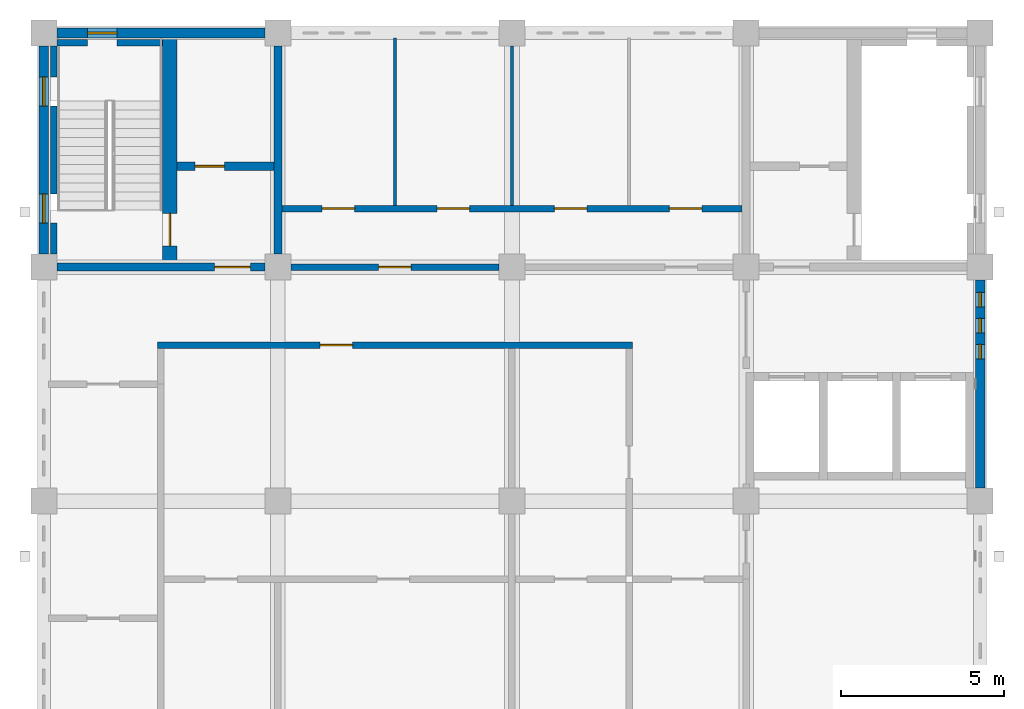
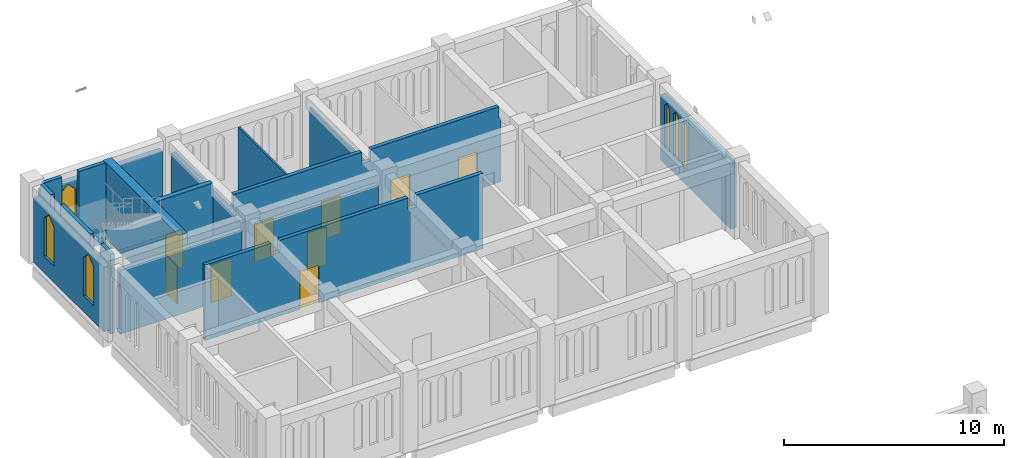
# One storey, part 8 of 13: 17 walls, 9 doors, 6 windows, 15 openings.
"""IFC4 building model written with IfcOpenShell, lengths in metres."""

from ifc_helpers import new_model, si_unit, direction, frame, frame_2d, origin, place, context, subcontext, project, spatial, polyline, rectangle, outline, extrude, material, layer, layer_set, type_object, element, fill, save


model = new_model("IFC4")

# Units and contexts
model_context = context("Model", 3, precision=1e-05, world=origin(), true_north=direction((0.0, 1.0)))
body_context = subcontext(model_context, "Body", "Model", "MODEL_VIEW")
ifc_project = project(units=[si_unit("LENGTHUNIT", "METRE"), si_unit("AREAUNIT", "SQUARE_METRE"), si_unit("VOLUMEUNIT", "CUBIC_METRE"), si_unit("PLANEANGLEUNIT", "RADIAN"), si_unit("MASSUNIT", "GRAM", prefix="KILO")], contexts=[model_context])

# Site, building, storey
site_placement = place(None, origin())
site = spatial("IfcSite", under=ifc_project, at=site_placement, CompositionType="ELEMENT")
building_placement = place(site_placement, origin())
building = spatial("IfcBuilding", under=site, at=building_placement, Name="Silangan Lancet Faculty of Sciences", CompositionType="ELEMENT")
storey_placement = place(building_placement, frame((0.0, 0.0, 49.800048828125)))
storey = spatial("IfcBuildingStorey", under=building, at=storey_placement, Name="L10", CompositionType="ELEMENT", Elevation=49.800048828125)

# Wall, openings, windows
ifc_material_1 = material(Name="Concrete C40/50 precast", Category="concrete")
ifc_layer_1 = layer(ifc_material_1, 0.300048828125)
ifc_layer_set_1 = layer_set([ifc_layer_1], Name="Concrete C40/50 precast")
wall_type_1 = type_object("IfcWallType", Name="EW2 Turret enclosure wall", PredefinedType="STANDARD", material=ifc_layer_set_1)
wall_1_placement = place(storey_placement, frame((0.0, 50.800048828125, 0.0), z_axis=(0.0, 0.0, 1.0), x_axis=(0.0, 1.0, 0.0)))
wall_1 = element("IfcWall", 1, at=wall_1_placement, inside=storey, type_object=wall_type_1, Name="EW-L10-W-NT-02", PredefinedType="STANDARD", context=body_context, shape_type="SweptSolid", body=[
    extrude(rectangle(XDim=6.39990234375, YDim=0.300048828125, at=frame_2d((3.199951171875, 0.0))), origin(), (0.0, 0.0, 1.0), 3.599853515625),
])
opening_1_placement = place(wall_1_placement, frame((0.949951171875, 0.0, 0.89990234375)))
opening_1 = element("IfcOpeningElement", 2, at=opening_1_placement, cuts=wall_1, Name="Opening W25", PredefinedType="OPENING", context=body_context, shape_type="SweptSolid", body=[
    extrude(outline(polyline([(0.0, 0.0), (0.89990234375, 0.0), (0.89990234375, 2.150146484375), (0.449951171875, 2.60009765625), (0.0, 2.150146484375), (0.0, 0.0)])), frame((0.0, 0.159912109375, 0.0), z_axis=(0.0, -1.0, 0.0), x_axis=(1.0, 0.0, 0.0)), (0.0, 0.0, 1.0), 0.320068359375),
])
opening_2_placement = place(wall_1_placement, frame((4.550048828125, 0.0, 0.89990234375)))
opening_2 = element("IfcOpeningElement", 3, at=opening_2_placement, cuts=wall_1, Name="Opening W25", PredefinedType="OPENING", context=body_context, shape_type="SweptSolid", body=[
    extrude(outline(polyline([(0.0, 0.0), (0.89990234375, 0.0), (0.89990234375, 2.150146484375), (0.449951171875, 2.60009765625), (0.0, 2.150146484375), (0.0, 0.0)])), frame((0.0, 0.159912109375, 0.0), z_axis=(0.0, -1.0, 0.0), x_axis=(1.0, 0.0, 0.0)), (0.0, 0.0, 1.0), 0.320068359375),
])
ifc_material_2 = material(Name="Aluminium frame, laminated double glazing", Category="aluminium")
window_type_1 = type_object("IfcWindowType", Name="W25 Lancet window 900 x 2600", PartitioningType="SINGLE_PANEL", PredefinedType="WINDOW", material=ifc_material_2)
window_1_placement = place(opening_1_placement, origin())
window_1 = element("IfcWindow", 4, at=window_1_placement, inside=storey, type_object=window_type_1, Name="WIN-L10-W-NT-02a", OverallHeight=2.60009765625, OverallWidth=0.89990234375, PartitioningType="SINGLE_PANEL", PredefinedType="WINDOW", context=body_context, shape_type="SweptSolid", body=[
    extrude(outline(polyline([(0.0, 0.0), (0.89990234375, 0.0), (0.89990234375, 2.150146484375), (0.449951171875, 2.60009765625), (0.0, 2.150146484375), (0.0, 0.0)])), frame((0.0, 0.030029296875, 0.0), z_axis=(0.0, -1.0, 0.0), x_axis=(1.0, 0.0, 0.0)), (0.0, 0.0, 1.0), 0.06005859375),
])
fill(opening_1, window_1)
window_2_placement = place(opening_2_placement, origin())
window_2 = element("IfcWindow", 5, at=window_2_placement, inside=storey, type_object=window_type_1, Name="WIN-L10-W-NT-02b", OverallHeight=2.60009765625, OverallWidth=0.89990234375, PartitioningType="SINGLE_PANEL", PredefinedType="WINDOW", context=body_context, shape_type="SweptSolid", body=[
    extrude(outline(polyline([(0.0, 0.0), (0.89990234375, 0.0), (0.89990234375, 2.150146484375), (0.449951171875, 2.60009765625), (0.0, 2.150146484375), (0.0, 0.0)])), frame((0.0, 0.030029296875, 0.0), z_axis=(0.0, -1.0, 0.0), x_axis=(1.0, 0.0, 0.0)), (0.0, 0.0, 1.0), 0.06005859375),
])
fill(opening_2, window_2)

# Wall, opening, window
wall_2_placement = place(storey_placement, frame((6.800048828125, 57.60009765625, 0.0), z_axis=(0.0, 0.0, 1.0), x_axis=(-1.0, 0.0, 0.0)))
wall_2 = element("IfcWall", 6, at=wall_2_placement, inside=storey, type_object=wall_type_1, Name="EW-L10-N-NT-03", PredefinedType="STANDARD", context=body_context, shape_type="SweptSolid", body=[
    extrude(rectangle(XDim=6.400146484375, YDim=0.300048828125, at=frame_2d((3.2001953125, 0.0))), origin(), (0.0, 0.0, 1.0), 3.599853515625),
])
opening_3_placement = place(wall_2_placement, frame((4.550048828125, 0.0, 0.89990234375)))
opening_3 = element("IfcOpeningElement", 7, at=opening_3_placement, cuts=wall_2, Name="Opening W25", PredefinedType="OPENING", context=body_context, shape_type="SweptSolid", body=[
    extrude(outline(polyline([(0.0, 0.0), (0.89990234375, 0.0), (0.89990234375, 2.150146484375), (0.449951171875, 2.60009765625), (0.0, 2.150146484375), (0.0, 0.0)])), frame((0.0, 0.159912109375, 0.0), z_axis=(0.0, -1.0, 0.0), x_axis=(1.0, 0.0, 0.0)), (0.0, 0.0, 1.0), 0.320068359375),
])
window_3_placement = place(opening_3_placement, origin())
window_3 = element("IfcWindow", 8, at=window_3_placement, inside=storey, type_object=window_type_1, Name="WIN-L10-N-NT-03b", OverallHeight=2.60009765625, OverallWidth=0.89990234375, PartitioningType="SINGLE_PANEL", PredefinedType="WINDOW", context=body_context, shape_type="SweptSolid", body=[
    extrude(outline(polyline([(0.0, 0.0), (0.89990234375, 0.0), (0.89990234375, 2.150146484375), (0.449951171875, 2.60009765625), (0.0, 2.150146484375), (0.0, 0.0)])), frame((0.0, 0.030029296875, 0.0), z_axis=(0.0, -1.0, 0.0), x_axis=(1.0, 0.0, 0.0)), (0.0, 0.0, 1.0), 0.06005859375),
])
fill(opening_3, window_3)

# Wall, openings, windows
ifc_material_3 = material(Name="Concrete C40/50", Category="concrete")
ifc_layer_2 = layer(ifc_material_3, 0.300048828125)
ifc_layer_set_2 = layer_set([ifc_layer_2], Name="Concrete C40/50")
wall_type_2 = type_object("IfcWallType", Name="EW7 Rendered attic wall", PredefinedType="STANDARD", material=ifc_layer_set_2)
wall_3_placement = place(storey_placement, frame((28.800048828125, 43.60009765625, 0.0), z_axis=(0.0, 0.0, 1.0), x_axis=(0.0, 1.0, 0.0)))
wall_3 = element("IfcWall", 9, at=wall_3_placement, inside=storey, type_object=wall_type_2, Name="EW-L10-E-NT-01", PredefinedType="STANDARD", context=body_context, shape_type="SweptSolid", body=[
    extrude(rectangle(XDim=6.39990234375, YDim=0.300048828125, at=frame_2d((3.199951171875, 0.0))), origin(), (0.0, 0.0, 1.0), 3.599853515625),
])
opening_4_placement = place(wall_3_placement, frame((3.97509765625, 0.0, 0.89990234375)))
opening_4 = element("IfcOpeningElement", 10, at=opening_4_placement, cuts=wall_3, Name="Opening W24", PredefinedType="OPENING", context=body_context, shape_type="SweptSolid", body=[
    extrude(outline(polyline([(0.0, 0.0), (0.449951171875, 0.0), (0.449951171875, 2.35009765625), (0.22509765625, 2.60009765625), (0.0, 2.35009765625), (0.0, 0.0)])), frame((0.0, 0.159912109375, 0.0), z_axis=(0.0, -1.0, 0.0), x_axis=(1.0, 0.0, 0.0)), (0.0, 0.0, 1.0), 0.320068359375),
])
opening_5_placement = place(wall_3_placement, frame((4.77490234375, 0.0, 0.89990234375)))
opening_5 = element("IfcOpeningElement", 11, at=opening_5_placement, cuts=wall_3, Name="Opening W24", PredefinedType="OPENING", context=body_context, shape_type="SweptSolid", body=[
    extrude(outline(polyline([(0.0, 0.0), (0.449951171875, 0.0), (0.449951171875, 2.35009765625), (0.22509765625, 2.60009765625), (0.0, 2.35009765625), (0.0, 0.0)])), frame((0.0, 0.159912109375, 0.0), z_axis=(0.0, -1.0, 0.0), x_axis=(1.0, 0.0, 0.0)), (0.0, 0.0, 1.0), 0.320068359375),
])
opening_6_placement = place(wall_3_placement, frame((5.574951171875, 0.0, 0.89990234375)))
opening_6 = element("IfcOpeningElement", 12, at=opening_6_placement, cuts=wall_3, Name="Opening W24", PredefinedType="OPENING", context=body_context, shape_type="SweptSolid", body=[
    extrude(outline(polyline([(0.0, 0.0), (0.449951171875, 0.0), (0.449951171875, 2.35009765625), (0.22509765625, 2.60009765625), (0.0, 2.35009765625), (0.0, 0.0)])), frame((0.0, 0.159912109375, 0.0), z_axis=(0.0, -1.0, 0.0), x_axis=(1.0, 0.0, 0.0)), (0.0, 0.0, 1.0), 0.320068359375),
])
ifc_material_4 = material(Name="Aluminium frame, laminated double glazing", Category="aluminium")
window_type_2 = type_object("IfcWindowType", Name="W24 Lancet window 450 x 2600", PartitioningType="SINGLE_PANEL", PredefinedType="WINDOW", material=ifc_material_4)
window_4_placement = place(opening_4_placement, origin())
window_4 = element("IfcWindow", 13, at=window_4_placement, inside=storey, type_object=window_type_2, Name="WIN-L10-E-NT-01b1", OverallHeight=2.60009765625, OverallWidth=0.449951171875, PartitioningType="SINGLE_PANEL", PredefinedType="WINDOW", context=body_context, shape_type="SweptSolid", body=[
    extrude(outline(polyline([(0.0, 0.0), (0.449951171875, 0.0), (0.449951171875, 2.35009765625), (0.22509765625, 2.60009765625), (0.0, 2.35009765625), (0.0, 0.0)])), frame((0.0, 0.030029296875, 0.0), z_axis=(0.0, -1.0, 0.0), x_axis=(1.0, 0.0, 0.0)), (0.0, 0.0, 1.0), 0.06005859375),
])
fill(opening_4, window_4)
window_5_placement = place(opening_5_placement, origin())
window_5 = element("IfcWindow", 14, at=window_5_placement, inside=storey, type_object=window_type_2, Name="WIN-L10-E-NT-01b2", OverallHeight=2.60009765625, OverallWidth=0.449951171875, PartitioningType="SINGLE_PANEL", PredefinedType="WINDOW", context=body_context, shape_type="SweptSolid", body=[
    extrude(outline(polyline([(0.0, 0.0), (0.449951171875, 0.0), (0.449951171875, 2.35009765625), (0.22509765625, 2.60009765625), (0.0, 2.35009765625), (0.0, 0.0)])), frame((0.0, 0.030029296875, 0.0), z_axis=(0.0, -1.0, 0.0), x_axis=(1.0, 0.0, 0.0)), (0.0, 0.0, 1.0), 0.06005859375),
])
fill(opening_5, window_5)
window_6_placement = place(opening_6_placement, origin())
window_6 = element("IfcWindow", 15, at=window_6_placement, inside=storey, type_object=window_type_2, Name="WIN-L10-E-NT-01b3", OverallHeight=2.60009765625, OverallWidth=0.449951171875, PartitioningType="SINGLE_PANEL", PredefinedType="WINDOW", context=body_context, shape_type="SweptSolid", body=[
    extrude(outline(polyline([(0.0, 0.0), (0.449951171875, 0.0), (0.449951171875, 2.35009765625), (0.22509765625, 2.60009765625), (0.0, 2.35009765625), (0.0, 0.0)])), frame((0.0, 0.030029296875, 0.0), z_axis=(0.0, -1.0, 0.0), x_axis=(1.0, 0.0, 0.0)), (0.0, 0.0, 1.0), 0.06005859375),
])
fill(opening_6, window_6)

# Wall, opening, door
ifc_material_5 = material(Name="Hollow block masonry fm 7 MPa", Category="masonry")
ifc_layer_3 = layer(ifc_material_5, 0.199951171875)
ifc_layer_set_3 = layer_set([ifc_layer_3], Name="Hollow block masonry fm 7 MPa")
wall_type_3 = type_object("IfcWallType", Name="Interior wall PW1 Corridor wall CHB 200", PredefinedType="PARTITIONING", material=ifc_layer_set_3)
wall_4_placement = place(storey_placement, frame((3.5, 48.0, 0.0), z_axis=(0.0, 0.0, 1.0), x_axis=(1.0, 0.0, 0.0)))
wall_4 = element("IfcWall", 16, at=wall_4_placement, inside=storey, type_object=wall_type_3, Name="Corridor wall CHB 200", PredefinedType="PARTITIONING", context=body_context, shape_type="SweptSolid", body=[
    extrude(outline(polyline([(0.0, 0.0), (14.60009765625, 0.0), (14.60009765625, 4.199951171875), (11.125, 4.199951171875), (11.125, 3.550048828125), (10.675048828125, 3.550048828125), (10.675048828125, 4.199951171875), (3.925048828125, 4.199951171875), (3.925048828125, 3.550048828125), (3.47509765625, 3.550048828125), (3.47509765625, 4.199951171875), (0.0, 4.199951171875), (0.0, 0.0)])), frame((0.0, 0.10009765625, 0.0), z_axis=(0.0, -1.0, 0.0), x_axis=(1.0, 0.0, 0.0)), (0.0, 0.0, 1.0), 0.199951171875),
])
opening_7_placement = place(wall_4_placement, frame((5.0, 0.0, 0.0)))
opening_7 = element("IfcOpeningElement", 17, at=opening_7_placement, cuts=wall_4, Name="Opening L10-028", PredefinedType="OPENING", context=body_context, shape_type="SweptSolid", body=[
    extrude(rectangle(XDim=1.0, YDim=2.10009765625, at=frame_2d((0.5, 1.050048828125))), frame((0.0, 0.10986328125, 0.0), z_axis=(0.0, -1.0, 0.0), x_axis=(1.0, 0.0, 0.0)), (0.0, 0.0, 1.0), 0.219970703125),
])
ifc_material_6 = material(Name="Steel fire door set", Category="steel")
door_type_1 = type_object("IfcDoorType", Name="Door D1 Single leaf fire door 1000 x 2100", OperationType="SINGLE_SWING_LEFT", PredefinedType="DOOR", material=ifc_material_6)
door_1_placement = place(opening_7_placement, frame((1.0, 0.0, 0.0), z_axis=(0.0, 0.0, 1.0), x_axis=(-1.0, 0.0, 0.0)))
door_1 = element("IfcDoor", 18, at=door_1_placement, inside=storey, type_object=door_type_1, Name="Single leaf fire door 1000 x 2100", OperationType="SINGLE_SWING_LEFT", OverallHeight=2.10009765625, OverallWidth=1.0, PredefinedType="DOOR", context=body_context, shape_type="SweptSolid", body=[
    extrude(rectangle(XDim=1.0, YDim=2.10009765625, at=frame_2d((0.5, 1.050048828125))), frame((0.0, 0.025146484375, 0.0), z_axis=(0.0, -1.0, 0.0), x_axis=(1.0, 0.0, 0.0)), (0.0, 0.0, 1.0), 0.050048828125),
])
fill(opening_7, door_1)

wall_5_placement = place(storey_placement, frame((7.60009765625, 50.39990234375, 0.0), z_axis=(0.0, 0.0, 1.0), x_axis=(1.0, 0.0, 0.0)))
wall_5 = element("IfcWall", 19, at=wall_5_placement, inside=storey, type_object=wall_type_3, Name="Corridor wall CHB 200", PredefinedType="PARTITIONING", context=body_context, shape_type="SweptSolid", body=[
    extrude(rectangle(XDim=6.39990234375, YDim=0.199951171875, at=frame_2d((3.199951171875, 0.0))), origin(), (0.0, 0.0, 1.0), 3.550048828125),
])
opening_8_placement = place(wall_5_placement, frame((2.699951171875, 0.0, 0.0)))
opening_8 = element("IfcOpeningElement", 20, at=opening_8_placement, cuts=wall_5, Name="Opening L10-005", PredefinedType="OPENING", context=body_context, shape_type="SweptSolid", body=[
    extrude(rectangle(XDim=1.0, YDim=2.10009765625, at=frame_2d((0.5, 1.050048828125))), frame((0.0, 0.10986328125, 0.0), z_axis=(0.0, -1.0, 0.0), x_axis=(1.0, 0.0, 0.0)), (0.0, 0.0, 1.0), 0.219970703125),
])
door_2_placement = place(opening_8_placement, origin())
door_2 = element("IfcDoor", 21, at=door_2_placement, inside=storey, type_object=door_type_1, Name="Single leaf fire door 1000 x 2100", OperationType="SINGLE_SWING_LEFT", OverallHeight=2.10009765625, OverallWidth=1.0, PredefinedType="DOOR", context=body_context, shape_type="SweptSolid", body=[
    extrude(rectangle(XDim=1.0, YDim=2.10009765625, at=frame_2d((0.5, 1.050048828125))), frame((0.0, 0.02490234375, 0.0), z_axis=(0.0, -1.0, 0.0), x_axis=(1.0, 0.0, 0.0)), (0.0, 0.0, 1.0), 0.050048828125),
])
fill(opening_8, door_2)

# Wall, openings, doors
wall_6_placement = place(storey_placement, frame((7.324951171875, 52.199951171875, 0.0), z_axis=(0.0, 0.0, 1.0), x_axis=(1.0, 0.0, 0.0)))
wall_6 = element("IfcWall", 22, at=wall_6_placement, inside=storey, type_object=wall_type_3, Name="Corridor wall CHB 200", PredefinedType="PARTITIONING", context=body_context, shape_type="SweptSolid", body=[
    extrude(outline(polyline([(0.0, 0.0), (14.150146484375, 0.0), (14.150146484375, 3.550048828125), (14.050048828125, 3.550048828125), (14.050048828125, 4.199951171875), (7.300048828125, 4.199951171875), (7.300048828125, 3.550048828125), (6.85009765625, 3.550048828125), (6.85009765625, 4.199951171875), (0.10009765625, 4.199951171875), (0.10009765625, 3.550048828125), (0.0, 3.550048828125), (0.0, 0.0)])), frame((0.0, 0.10009765625, 0.0), z_axis=(0.0, -1.0, 0.0), x_axis=(1.0, 0.0, 0.0)), (0.0, 0.0, 1.0), 0.199951171875),
])
opening_9_placement = place(wall_6_placement, frame((1.237548828125, 0.0, 0.0)))
opening_9 = element("IfcOpeningElement", 23, at=opening_9_placement, cuts=wall_6, Name="Opening L10-020", PredefinedType="OPENING", context=body_context, shape_type="SweptSolid", body=[
    extrude(rectangle(XDim=1.0, YDim=2.10009765625, at=frame_2d((0.5, 1.050048828125))), frame((0.0, 0.10986328125, 0.0), z_axis=(0.0, -1.0, 0.0), x_axis=(1.0, 0.0, 0.0)), (0.0, 0.0, 1.0), 0.219970703125),
])
opening_10_placement = place(wall_6_placement, frame((4.77490234375, 0.0, 0.0)))
opening_10 = element("IfcOpeningElement", 24, at=opening_10_placement, cuts=wall_6, Name="Opening L10-021", PredefinedType="OPENING", context=body_context, shape_type="SweptSolid", body=[
    extrude(rectangle(XDim=1.0, YDim=2.10009765625, at=frame_2d((0.5, 1.050048828125))), frame((0.0, 0.10986328125, 0.0), z_axis=(0.0, -1.0, 0.0), x_axis=(1.0, 0.0, 0.0)), (0.0, 0.0, 1.0), 0.219970703125),
])
opening_11_placement = place(wall_6_placement, frame((8.375, 0.0, 0.0)))
opening_11 = element("IfcOpeningElement", 25, at=opening_11_placement, cuts=wall_6, Name="Opening L10-022", PredefinedType="OPENING", context=body_context, shape_type="SweptSolid", body=[
    extrude(rectangle(XDim=1.0, YDim=2.10009765625, at=frame_2d((0.5, 1.050048828125))), frame((0.0, 0.10986328125, 0.0), z_axis=(0.0, -1.0, 0.0), x_axis=(1.0, 0.0, 0.0)), (0.0, 0.0, 1.0), 0.219970703125),
])
opening_12_placement = place(wall_6_placement, frame((11.91259765625, 0.0, 0.0)))
opening_12 = element("IfcOpeningElement", 26, at=opening_12_placement, cuts=wall_6, Name="Opening L10-023", PredefinedType="OPENING", context=body_context, shape_type="SweptSolid", body=[
    extrude(rectangle(XDim=1.0, YDim=2.10009765625, at=frame_2d((0.5, 1.050048828125))), frame((0.0, 0.10986328125, 0.0), z_axis=(0.0, -1.0, 0.0), x_axis=(1.0, 0.0, 0.0)), (0.0, 0.0, 1.0), 0.219970703125),
])
door_3_placement = place(opening_9_placement, origin())
door_3 = element("IfcDoor", 27, at=door_3_placement, inside=storey, type_object=door_type_1, Name="Single leaf fire door 1000 x 2100", OperationType="SINGLE_SWING_RIGHT", OverallHeight=2.10009765625, OverallWidth=1.0, PredefinedType="DOOR", context=body_context, shape_type="SweptSolid", body=[
    extrude(rectangle(XDim=1.0, YDim=2.10009765625, at=frame_2d((0.5, 1.050048828125))), frame((0.0, 0.02490234375, 0.0), z_axis=(0.0, -1.0, 0.0), x_axis=(1.0, 0.0, 0.0)), (0.0, 0.0, 1.0), 0.050048828125),
])
fill(opening_9, door_3)
door_4_placement = place(opening_10_placement, origin())
door_4 = element("IfcDoor", 28, at=door_4_placement, inside=storey, type_object=door_type_1, Name="Single leaf fire door 1000 x 2100", OperationType="SINGLE_SWING_LEFT", OverallHeight=2.10009765625, OverallWidth=1.0, PredefinedType="DOOR", context=body_context, shape_type="SweptSolid", body=[
    extrude(rectangle(XDim=1.0, YDim=2.10009765625, at=frame_2d((0.5, 1.050048828125))), frame((0.0, 0.02490234375, 0.0), z_axis=(0.0, -1.0, 0.0), x_axis=(1.0, 0.0, 0.0)), (0.0, 0.0, 1.0), 0.050048828125),
])
fill(opening_10, door_4)
door_5_placement = place(opening_11_placement, origin())
door_5 = element("IfcDoor", 29, at=door_5_placement, inside=storey, type_object=door_type_1, Name="Single leaf fire door 1000 x 2100", OperationType="SINGLE_SWING_RIGHT", OverallHeight=2.10009765625, OverallWidth=1.0, PredefinedType="DOOR", context=body_context, shape_type="SweptSolid", body=[
    extrude(rectangle(XDim=1.0, YDim=2.10009765625, at=frame_2d((0.5, 1.050048828125))), frame((0.0, 0.02490234375, 0.0), z_axis=(0.0, -1.0, 0.0), x_axis=(1.0, 0.0, 0.0)), (0.0, 0.0, 1.0), 0.050048828125),
])
fill(opening_11, door_5)
door_6_placement = place(opening_12_placement, origin())
door_6 = element("IfcDoor", 30, at=door_6_placement, inside=storey, type_object=door_type_1, Name="Single leaf fire door 1000 x 2100", OperationType="SINGLE_SWING_LEFT", OverallHeight=2.10009765625, OverallWidth=1.0, PredefinedType="DOOR", context=body_context, shape_type="SweptSolid", body=[
    extrude(rectangle(XDim=1.0, YDim=2.10009765625, at=frame_2d((0.5, 1.050048828125))), frame((0.0, 0.02490234375, 0.0), z_axis=(0.0, -1.0, 0.0), x_axis=(1.0, 0.0, 0.0)), (0.0, 0.0, 1.0), 0.050048828125),
])
fill(opening_12, door_6)

# Walls
ifc_material_7 = material(Name="Hollow block masonry fm 7 MPa", Category="masonry")
ifc_layer_4 = layer(ifc_material_7, 0.10009765625)
ifc_layer_set_4 = layer_set([ifc_layer_4], Name="Hollow block masonry fm 7 MPa")
wall_type_4 = type_object("IfcWallType", Name="Interior wall PW8 WC partition CHB 100", PredefinedType="PARTITIONING", material=ifc_layer_set_4)
wall_7_placement = place(storey_placement, frame((10.800048828125, 52.300048828125, 0.0), z_axis=(0.0, 0.0, 1.0), x_axis=(0.0, 1.0, 0.0)))
element("IfcWall", 31, at=wall_7_placement, inside=storey, type_object=wall_type_4, Name="WC partition CHB 100", PredefinedType="PARTITIONING", context=body_context, shape_type="SweptSolid", body=[
    extrude(rectangle(XDim=5.14990234375, YDim=0.10009765625, at=frame_2d((2.574951171875, 0.0))), origin(), (0.0, 0.0, 1.0), 3.550048828125),
])
wall_8_placement = place(storey_placement, frame((14.39990234375, 52.300048828125, 0.0), z_axis=(0.0, 0.0, 1.0), x_axis=(0.0, 1.0, 0.0)))
element("IfcWall", 32, at=wall_8_placement, inside=storey, type_object=wall_type_4, Name="WC partition CHB 100", PredefinedType="PARTITIONING", context=body_context, shape_type="SweptSolid", body=[
    extrude(rectangle(XDim=4.89990234375, YDim=0.10009765625, at=frame_2d((2.449951171875, 0.0))), origin(), (0.0, 0.0, 1.0), 3.550048828125),
])

# Wall, opening, door
ifc_material_8 = material(Name="Concrete C40/50", Category="concrete")
ifc_layer_5 = layer(ifc_material_8, 0.449951171875)
ifc_layer_set_5 = layer_set([ifc_layer_5], Name="Concrete C40/50")
wall_type_5 = type_object("IfcWallType", Name="TURRET CORE WALL RC 450", PredefinedType="SHEAR", material=ifc_layer_set_5)
wall_9_placement = place(storey_placement, frame((3.875, 50.52490234375, 0.0), z_axis=(0.0, 0.0, 1.0), x_axis=(0.0, 1.0, 0.0)))
wall_9 = element("IfcWall", 33, at=wall_9_placement, inside=storey, type_object=wall_type_5, Name="WALL-L10-NT-A-WELL", PredefinedType="SHEAR", context=body_context, shape_type="SweptSolid", body=[
    extrude(rectangle(XDim=6.925048828125, YDim=0.449951171875, at=frame_2d((3.46240234375, 0.0))), origin(), (0.0, 0.0, 1.0), 4.199951171875),
])
opening_13_placement = place(wall_9_placement, frame((0.52490234375, 0.0, 0.0)))
opening_13 = element("IfcOpeningElement", 34, at=opening_13_placement, cuts=wall_9, Name="Opening L10-701", PredefinedType="OPENING", context=body_context, shape_type="SweptSolid", body=[
    extrude(rectangle(XDim=1.0, YDim=2.10009765625, at=frame_2d((0.5, 1.050048828125))), frame((0.0, 0.23486328125, 0.0), z_axis=(0.0, -1.0, 0.0), x_axis=(1.0, 0.0, 0.0)), (0.0, 0.0, 1.0), 0.469970703125),
])
ifc_material_9 = material(Name="Steel fire door set", Category="steel")
door_type_2 = type_object("IfcDoorType", Name="D71 Stair enclosure door 1000x2100", OperationType="SINGLE_SWING_LEFT", PredefinedType="DOOR", material=ifc_material_9)
door_7_placement = place(opening_13_placement, origin())
door_7 = element("IfcDoor", 35, at=door_7_placement, inside=storey, type_object=door_type_2, Name="Stair enclosure door NT-A L10", OperationType="SINGLE_SWING_LEFT", OverallHeight=2.10009765625, OverallWidth=1.0, PredefinedType="DOOR", context=body_context, shape_type="SweptSolid", body=[
    extrude(rectangle(XDim=1.0, YDim=2.10009765625, at=frame_2d((0.5, 1.050048828125))), frame((0.0, 0.02490234375, 0.0), z_axis=(0.0, -1.0, 0.0), x_axis=(1.0, 0.0, 0.0)), (0.0, 0.0, 1.0), 0.050048828125),
])
fill(opening_13, door_7)

# Walls
ifc_material_10 = material(Name="Concrete C40/50", Category="concrete")
ifc_layer_6 = layer(ifc_material_10, 0.199951171875)
ifc_layer_set_6 = layer_set([ifc_layer_6], Name="Concrete C40/50")
wall_type_6 = type_object("IfcWallType", Name="TURRET LINING WALL RC 200", PredefinedType="SHEAR", material=ifc_layer_set_6)
wall_10_placement = place(storey_placement, frame((0.300048828125, 50.800048828125, -0.25), z_axis=(0.0, 0.0, 1.0), x_axis=(0.0, 1.0, 0.0)))
element("IfcWall", 36, at=wall_10_placement, inside=storey, type_object=wall_type_6, Name="WALL-L10-NT-A-WL", PredefinedType="SHEAR", context=body_context, shape_type="SweptSolid", body=[
    extrude(rectangle(XDim=0.949951171875, YDim=0.199951171875, at=frame_2d((0.47509765625, 0.0))), origin(), (0.0, 0.0, 1.0), 4.449951171875),
])
wall_11_placement = place(storey_placement, frame((0.300048828125, 52.64990234375, -0.25), z_axis=(0.0, 0.0, 1.0), x_axis=(0.0, 1.0, 0.0)))
element("IfcWall", 37, at=wall_11_placement, inside=storey, type_object=wall_type_6, Name="WALL-L10-NT-A-WL-2", PredefinedType="SHEAR", context=body_context, shape_type="SweptSolid", body=[
    extrude(rectangle(XDim=2.7001953125, YDim=0.199951171875, at=frame_2d((1.35009765625, 0.0))), origin(), (0.0, 0.0, 1.0), 4.449951171875),
])
wall_12_placement = place(storey_placement, frame((0.300048828125, 56.25, -0.25), z_axis=(0.0, 0.0, 1.0), x_axis=(0.0, 1.0, 0.0)))
element("IfcWall", 38, at=wall_12_placement, inside=storey, type_object=wall_type_6, Name="WALL-L10-NT-A-WL-3", PredefinedType="SHEAR", context=body_context, shape_type="SweptSolid", body=[
    extrude(rectangle(XDim=0.949951171875, YDim=0.199951171875, at=frame_2d((0.47509765625, 0.0))), origin(), (0.0, 0.0, 1.0), 4.449951171875),
])
wall_13_placement = place(storey_placement, frame((0.39990234375, 57.300048828125, -0.25), z_axis=(0.0, 0.0, 1.0), x_axis=(1.0, 0.0, 0.0)))
element("IfcWall", 39, at=wall_13_placement, inside=storey, type_object=wall_type_6, Name="WALL-L10-NT-A-WLD", PredefinedType="SHEAR", context=body_context, shape_type="SweptSolid", body=[
    extrude(rectangle(XDim=0.9501953125, YDim=0.199951171875, at=frame_2d((0.47509765625, 0.0))), origin(), (0.0, 0.0, 1.0), 4.449951171875),
])
wall_14_placement = place(storey_placement, frame((2.25, 57.300048828125, -0.25), z_axis=(0.0, 0.0, 1.0), x_axis=(1.0, 0.0, 0.0)))
element("IfcWall", 40, at=wall_14_placement, inside=storey, type_object=wall_type_6, Name="WALL-L10-NT-A-WLD-2", PredefinedType="SHEAR", context=body_context, shape_type="SweptSolid", body=[
    extrude(rectangle(XDim=1.39990234375, YDim=0.199951171875, at=frame_2d((0.699951171875, 0.0))), origin(), (0.0, 0.0, 1.0), 4.449951171875),
])

# Wall, opening, door
ifc_material_11 = material(Name="Concrete C40/50", Category="concrete")
ifc_layer_7 = layer(ifc_material_11, 0.25)
ifc_layer_set_7 = layer_set([ifc_layer_7], Name="Concrete C40/50")
wall_type_7 = type_object("IfcWallType", Name="TURRET WALL RC 250", PredefinedType="SHEAR", material=ifc_layer_set_7)
wall_15_placement = place(storey_placement, frame((0.39990234375, 50.39990234375, 0.0), z_axis=(0.0, 0.0, 1.0), x_axis=(1.0, 0.0, 0.0)))
wall_15 = element("IfcWall", 41, at=wall_15_placement, inside=storey, type_object=wall_type_7, Name="WALL-L10-NT-A-V", PredefinedType="SHEAR", context=body_context, shape_type="SweptSolid", body=[
    extrude(rectangle(XDim=6.400146484375, YDim=0.25, at=frame_2d((3.2001953125, 0.0))), origin(), (0.0, 0.0, 1.0), 3.550048828125),
])
opening_14_placement = place(wall_15_placement, frame((4.85009765625, 0.0, 0.0)))
opening_14 = element("IfcOpeningElement", 42, at=opening_14_placement, cuts=wall_15, Name="Opening L10-702", PredefinedType="OPENING", context=body_context, shape_type="SweptSolid", body=[
    extrude(rectangle(XDim=1.10009765625, YDim=2.10009765625, at=frame_2d((0.550048828125, 1.050048828125))), frame((0.0, 0.135009765625, 0.0), z_axis=(0.0, -1.0, 0.0), x_axis=(1.0, 0.0, 0.0)), (0.0, 0.0, 1.0), 0.27001953125),
])
ifc_material_12 = material(Name="Steel fire door set", Category="steel")
door_type_3 = type_object("IfcDoorType", Name="D70 Stair vestibule door 1100x2100", OperationType="SINGLE_SWING_LEFT", PredefinedType="DOOR", material=ifc_material_12)
door_8_placement = place(opening_14_placement, origin())
door_8 = element("IfcDoor", 43, at=door_8_placement, inside=storey, type_object=door_type_3, Name="Stair vestibule door NT-A L10", OperationType="SINGLE_SWING_RIGHT", OverallHeight=2.10009765625, OverallWidth=1.10009765625, PredefinedType="DOOR", context=body_context, shape_type="SweptSolid", body=[
    extrude(rectangle(XDim=1.10009765625, YDim=2.10009765625, at=frame_2d((0.550048828125, 1.050048828125))), frame((0.0, 0.02490234375, 0.0), z_axis=(0.0, -1.0, 0.0), x_axis=(1.0, 0.0, 0.0)), (0.0, 0.0, 1.0), 0.050048828125),
])
fill(opening_14, door_8)

# Wall
wall_16_placement = place(storey_placement, frame((7.199951171875, 50.800048828125, 0.0), z_axis=(0.0, 0.0, 1.0), x_axis=(0.0, 1.0, 0.0)))
element("IfcWall", 44, at=wall_16_placement, inside=storey, type_object=wall_type_7, Name="WALL-L10-NT-A-O", PredefinedType="SHEAR", context=body_context, shape_type="SweptSolid", body=[
    extrude(rectangle(XDim=6.39990234375, YDim=0.25, at=frame_2d((3.199951171875, 0.0))), origin(), (0.0, 0.0, 1.0), 3.550048828125),
])

# Wall, opening, door
wall_17_placement = place(storey_placement, frame((4.10009765625, 53.5, 0.0), z_axis=(0.0, 0.0, 1.0), x_axis=(1.0, 0.0, 0.0)))
wall_17 = element("IfcWall", 45, at=wall_17_placement, inside=storey, type_object=wall_type_7, Name="WALL-L10-NT-A-RISER", PredefinedType="SHEAR", context=body_context, shape_type="SweptSolid", body=[
    extrude(rectangle(XDim=2.974853515625, YDim=0.25, at=frame_2d((1.4873046875, 0.0))), origin(), (0.0, 0.0, 1.0), 4.199951171875),
])
opening_15_placement = place(wall_17_placement, frame((0.550048828125, 0.0, 0.0)))
opening_15 = element("IfcOpeningElement", 46, at=opening_15_placement, cuts=wall_17, Name="Opening L10-703", PredefinedType="OPENING", context=body_context, shape_type="SweptSolid", body=[
    extrude(rectangle(XDim=0.89990234375, YDim=2.10009765625, at=frame_2d((0.449951171875, 1.050048828125))), frame((0.0, 0.135009765625, 0.0), z_axis=(0.0, -1.0, 0.0), x_axis=(1.0, 0.0, 0.0)), (0.0, 0.0, 1.0), 0.27001953125),
])
ifc_material_13 = material(Name="Steel fire door set", Category="steel")
door_type_4 = type_object("IfcDoorType", Name="D72 Riser access door 900x2100", OperationType="SINGLE_SWING_LEFT", PredefinedType="DOOR", material=ifc_material_13)
door_9_placement = place(opening_15_placement, origin())
door_9 = element("IfcDoor", 47, at=door_9_placement, inside=storey, type_object=door_type_4, Name="Riser access door NT-A L10", OperationType="SINGLE_SWING_RIGHT", OverallHeight=2.10009765625, OverallWidth=0.89990234375, PredefinedType="DOOR", context=body_context, shape_type="SweptSolid", body=[
    extrude(rectangle(XDim=0.89990234375, YDim=2.10009765625, at=frame_2d((0.449951171875, 1.050048828125))), frame((0.0, 0.02490234375, 0.0), z_axis=(0.0, -1.0, 0.0), x_axis=(1.0, 0.0, 0.0)), (0.0, 0.0, 1.0), 0.050048828125),
])
fill(opening_15, door_9)

save(model, "model.ifc")
